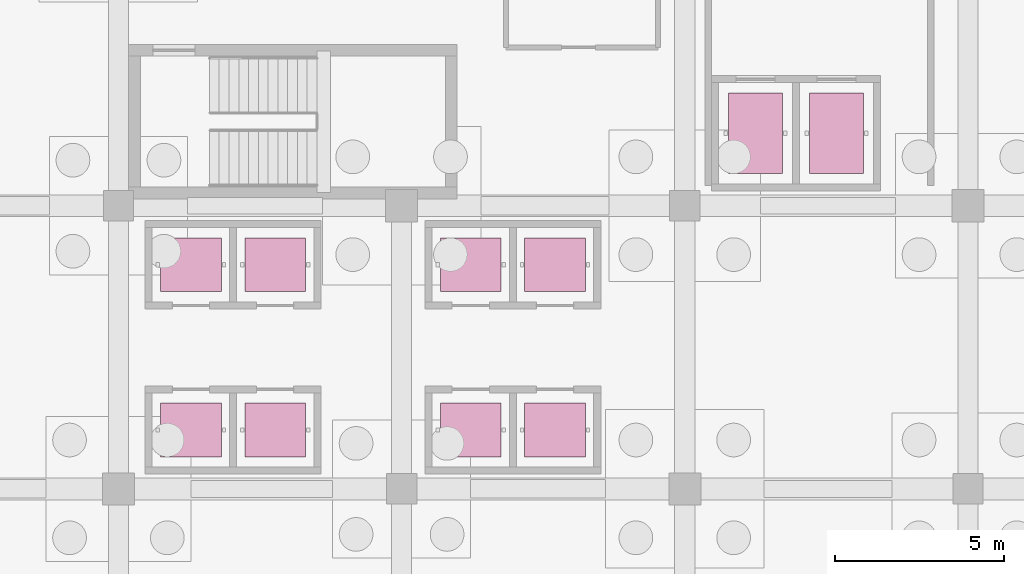
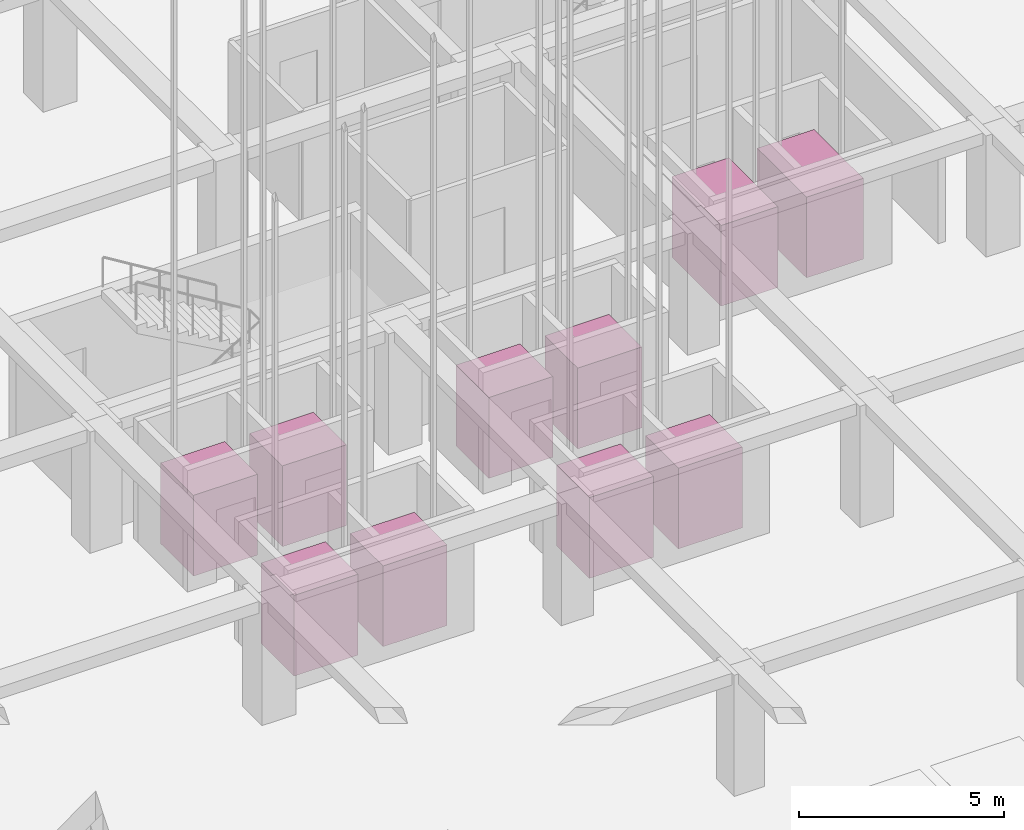
# One storey, part 47 of 47: 10 transport elements.
"""IFC4 building model written with IfcOpenShell, lengths in metres."""

from ifc_helpers import new_model, si_unit, direction, frame, origin, origin_2d, place, context, subcontext, project, spatial, rectangle, extrude, material, type_object, element, save


model = new_model("IFC4")

# Units and contexts
model_context = context("Model", 3, precision=1e-05, world=origin(), true_north=direction((0.0, 1.0)))
body_context = subcontext(model_context, "Body", "Model", "MODEL_VIEW")
ifc_project = project(units=[si_unit("LENGTHUNIT", "METRE"), si_unit("AREAUNIT", "SQUARE_METRE"), si_unit("VOLUMEUNIT", "CUBIC_METRE"), si_unit("PLANEANGLEUNIT", "RADIAN"), si_unit("MASSUNIT", "GRAM", prefix="KILO")], contexts=[model_context])

# Site, building, storey
site_placement = place(None, origin())
site = spatial("IfcSite", under=ifc_project, at=site_placement, CompositionType="ELEMENT")
building_placement = place(site_placement, origin())
building = spatial("IfcBuilding", under=site, at=building_placement, Name="Almacenes y Pasaje Nevantli", CompositionType="ELEMENT")
storey_placement = place(building_placement, frame((0.0, 0.0, -8.10009765625)))
storey = spatial("IfcBuildingStorey", under=building, at=storey_placement, Name="B02", CompositionType="ELEMENT", Elevation=-8.10009765625)

# Transport elements
ifc_material_1 = material(Name="Fire-Rated Traction Elevator Assembly", Category="steel")
transport_element_type_1 = type_object("IfcTransportElementType", Name="TRN-ELEVATOR-FF", PredefinedType="ELEVATOR", material=ifc_material_1)
for number, where, z_axis, x_axis, name in (
    (1, (136.5, 77.75, 0.0), (0.0, 0.0, 1.0), (1.0, 0.0, 0.0), "Traction Elevator ELV-FF1 (Firefighting and stretcher lifts)"),
    (2, (138.89990234375, 77.75, 0.0), (0.0, 0.0, 1.0), (1.0, 0.0, 0.0), "Traction Elevator ELV-FF2 (Firefighting and stretcher lifts)"),
):
    element("IfcTransportElement", number, at=place(storey_placement, frame(where, z_axis=z_axis, x_axis=x_axis)), inside=storey, type_object=transport_element_type_1, Name=name, PredefinedType="ELEVATOR", context=body_context, shape_type="SweptSolid", body=[
        extrude(rectangle(XDim=1.60009765625, YDim=2.39990234375, at=origin_2d()), origin(), (0.0, 0.0, 1.0), 2.39990234375),
    ])
ifc_material_2 = material(Name="Stainless Steel Traction Elevator Assembly", Category="steel")
transport_element_type_2 = type_object("IfcTransportElementType", Name="TRN-ELEVATOR-PASS", PredefinedType="ELEVATOR", material=ifc_material_2)
for number, where, z_axis, x_axis, name in (
    (3, (128.050048828125, 68.949951171875, 0.0), (0.0, 0.0, 1.0), (1.0, 0.0, 0.0), "Traction Elevator ELV-P01 (Low-rise passenger lifts)"),
    (4, (130.550048828125, 68.949951171875, 0.0), (0.0, 0.0, 1.0), (1.0, 0.0, 0.0), "Traction Elevator ELV-P02 (Low-rise passenger lifts)"),
    (5, (128.050048828125, 73.85009765625, 0.0), (0.0, 0.0, 1.0), (1.0, 0.0, 0.0), "Traction Elevator ELV-P03 (Low-rise passenger lifts)"),
    (6, (130.550048828125, 73.85009765625, 0.0), (0.0, 0.0, 1.0), (1.0, 0.0, 0.0), "Traction Elevator ELV-P04 (Low-rise passenger lifts)"),
    (7, (119.75, 68.949951171875, 0.0), (0.0, 0.0, 1.0), (1.0, 0.0, 0.0), "Traction Elevator ELV-P05 (High-rise passenger lifts)"),
    (8, (122.25, 68.949951171875, 0.0), (0.0, 0.0, 1.0), (1.0, 0.0, 0.0), "Traction Elevator ELV-P06 (High-rise passenger lifts)"),
    (9, (119.75, 73.85009765625, 0.0), (0.0, 0.0, 1.0), (1.0, 0.0, 0.0), "Traction Elevator ELV-P07 (High-rise passenger lifts)"),
    (10, (122.25, 73.85009765625, 0.0), (0.0, 0.0, 1.0), (1.0, 0.0, 0.0), "Traction Elevator ELV-P08 (High-rise passenger lifts)"),
):
    element("IfcTransportElement", number, at=place(storey_placement, frame(where, z_axis=z_axis, x_axis=x_axis)), inside=storey, type_object=transport_element_type_2, Name=name, PredefinedType="ELEVATOR", context=body_context, shape_type="SweptSolid", body=[
        extrude(rectangle(XDim=1.800048828125, YDim=1.60009765625, at=origin_2d()), origin(), (0.0, 0.0, 1.0), 2.39990234375),
    ])

save(model, "model.ifc")
